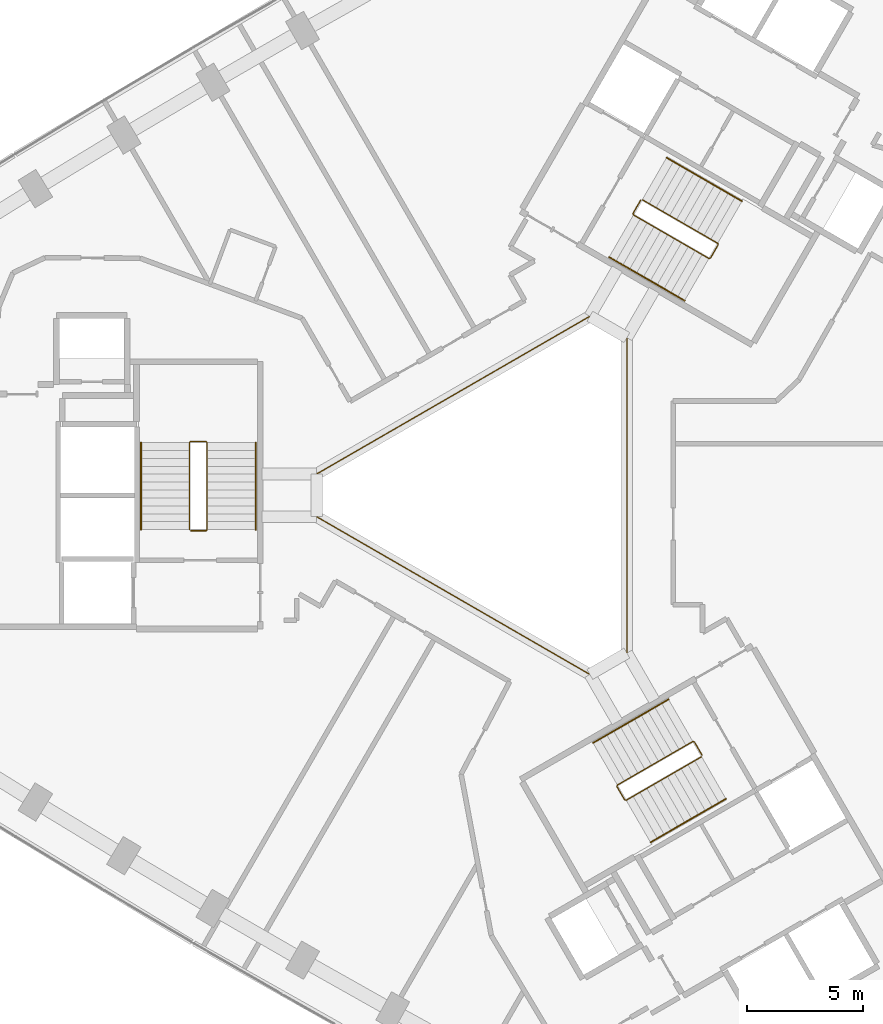
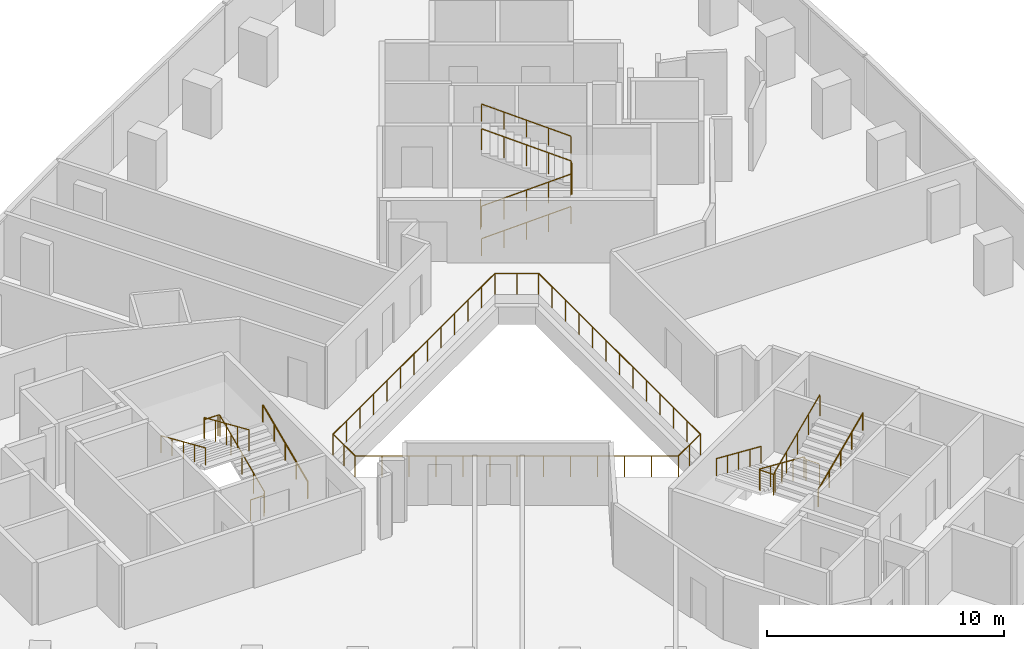
# One storey, part 12 of 12: 10 railings.
"""IFC4 building model written with IfcOpenShell, lengths in metres."""

from ifc_helpers import new_model, si_unit, direction, frame, origin, origin_2d, place, context, subcontext, project, spatial, circle, extrude, material, type_object, element, save


model = new_model("IFC4")

# Units and contexts
model_context = context("Model", 3, precision=1e-05, world=origin(), true_north=direction((0.0, 1.0)))
body_context = subcontext(model_context, "Body", "Model", "MODEL_VIEW")
ifc_project = project(units=[si_unit("LENGTHUNIT", "METRE"), si_unit("AREAUNIT", "SQUARE_METRE"), si_unit("VOLUMEUNIT", "CUBIC_METRE"), si_unit("PLANEANGLEUNIT", "RADIAN"), si_unit("MASSUNIT", "GRAM", prefix="KILO")], contexts=[model_context])

# Site, building, storey
site_placement = place(None, origin())
site = spatial("IfcSite", under=ifc_project, at=site_placement, CompositionType="ELEMENT")
building_placement = place(site_placement, origin())
building = spatial("IfcBuilding", under=site, at=building_placement, Name="Tamra Quay Hotel Tower", CompositionType="ELEMENT")
storey_placement = place(building_placement, frame((0.0, 0.0, 71.0)))
storey = spatial("IfcBuildingStorey", under=building, at=storey_placement, Name="L16", CompositionType="ELEMENT", Elevation=71.0)

# Railings
ifc_material_1 = material(Name="Guard atrium edge 1100")
railing_type_1 = type_object("IfcRailingType", Name="Guard atrium edge 1100", PredefinedType="GUARDRAIL", material=ifc_material_1)
railing_1_placement = place(storey_placement, frame((5.0, -6.81298828125, 0.0)))
element("IfcRailing", 1, at=railing_1_placement, inside=storey, type_object=railing_type_1, Name="G-A", PredefinedType="GUARDRAIL", context=body_context, shape_type="SweptSolid", body=[
    extrude(circle(Radius=0.02392578125, at=origin_2d()), frame((0.0, 0.0, 1.076171875), z_axis=(-0.866194386982, -0.499707198227, 0.0), x_axis=(0.499707198227, -0.866194386982, 0.0)), (0.0, 0.0, 1.0), 1.84716796875),
    extrude(circle(Radius=0.02392578125, at=origin_2d()), frame((-1.60009765625, -0.923095703125, 1.076171875), z_axis=(-0.866044747976, 0.49996649338, 0.0), x_axis=(-0.49996649338, -0.866044747976, 0.0)), (0.0, 0.0, 1.0), 13.625),
    extrude(circle(Radius=0.02392578125, at=origin_2d()), frame((-13.39990234375, 5.888916015625, 1.076171875), z_axis=(0.0, 1.0, 0.0), x_axis=(-1.0, 0.0, 0.0)), (0.0, 0.0, 1.0), 1.84814453125),
    extrude(circle(Radius=0.02392578125, at=origin_2d()), frame((-13.39990234375, 7.737060546875, 1.076171875), z_axis=(0.866044747976, 0.49996649338, 0.0), x_axis=(-0.49996649338, 0.866044747976, 0.0)), (0.0, 0.0, 1.0), 13.625),
    extrude(circle(Radius=0.02392578125, at=origin_2d()), frame((-1.60009765625, 14.549072265625, 1.076171875), z_axis=(0.866194386982, -0.499707198227, 0.0), x_axis=(0.499707198227, 0.866194386982, 0.0)), (0.0, 0.0, 1.0), 1.84716796875),
    extrude(circle(Radius=0.02392578125, at=origin_2d()), frame((0.0, 13.6259765625, 1.076171875), z_axis=(0.0, -1.0, 0.0), x_axis=(1.0, 0.0, 0.0)), (0.0, 0.0, 1.0), 13.6259765625),
    extrude(circle(Radius=0.02099609375, at=origin_2d()), origin(), (0.0, 0.0, 1.0), 1.052001953125),
    extrude(circle(Radius=0.02099609375, at=origin_2d()), frame((-0.800048828125, -0.46142578125, 0.0)), (0.0, 0.0, 1.0), 1.052001953125),
    extrude(circle(Radius=0.02099609375, at=origin_2d()), frame((-1.60009765625, -0.923095703125, 0.0)), (0.0, 0.0, 1.0), 1.052001953125),
    extrude(circle(Radius=0.02099609375, at=origin_2d()), frame((-2.58349609375, -0.35546875, 0.0)), (0.0, 0.0, 1.0), 1.052001953125),
    extrude(circle(Radius=0.02099609375, at=origin_2d()), frame((-3.566650390625, 0.212158203125, 0.0)), (0.0, 0.0, 1.0), 1.052001953125),
    extrude(circle(Radius=0.02099609375, at=origin_2d()), frame((-4.550048828125, 0.77978515625, 0.0)), (0.0, 0.0, 1.0), 1.052001953125),
    extrude(circle(Radius=0.02099609375, at=origin_2d()), frame((-5.533447265625, 1.34765625, 0.0)), (0.0, 0.0, 1.0), 1.052001953125),
    extrude(circle(Radius=0.02099609375, at=origin_2d()), frame((-6.5166015625, 1.915283203125, 0.0)), (0.0, 0.0, 1.0), 1.052001953125),
    extrude(circle(Radius=0.02099609375, at=origin_2d()), frame((-7.5, 2.48291015625, 0.0)), (0.0, 0.0, 1.0), 1.052001953125),
    extrude(circle(Radius=0.02099609375, at=origin_2d()), frame((-8.4833984375, 3.050537109375, 0.0)), (0.0, 0.0, 1.0), 1.052001953125),
    extrude(circle(Radius=0.02099609375, at=origin_2d()), frame((-9.466552734375, 3.6181640625, 0.0)), (0.0, 0.0, 1.0), 1.052001953125),
    extrude(circle(Radius=0.02099609375, at=origin_2d()), frame((-10.449951171875, 4.18603515625, 0.0)), (0.0, 0.0, 1.0), 1.052001953125),
    extrude(circle(Radius=0.02099609375, at=origin_2d()), frame((-11.433349609375, 4.753662109375, 0.0)), (0.0, 0.0, 1.0), 1.052001953125),
    extrude(circle(Radius=0.02099609375, at=origin_2d()), frame((-12.41650390625, 5.3212890625, 0.0)), (0.0, 0.0, 1.0), 1.052001953125),
    extrude(circle(Radius=0.02099609375, at=origin_2d()), frame((-13.39990234375, 5.888916015625, 0.0)), (0.0, 0.0, 1.0), 1.052001953125),
    extrude(circle(Radius=0.02099609375, at=origin_2d()), frame((-13.39990234375, 6.81298828125, 0.0)), (0.0, 0.0, 1.0), 1.052001953125),
    extrude(circle(Radius=0.02099609375, at=origin_2d()), frame((-13.39990234375, 7.737060546875, 0.0)), (0.0, 0.0, 1.0), 1.052001953125),
    extrude(circle(Radius=0.02099609375, at=origin_2d()), frame((-12.41650390625, 8.3046875, 0.0)), (0.0, 0.0, 1.0), 1.052001953125),
    extrude(circle(Radius=0.02099609375, at=origin_2d()), frame((-11.433349609375, 8.872314453125, 0.0)), (0.0, 0.0, 1.0), 1.052001953125),
    extrude(circle(Radius=0.02099609375, at=origin_2d()), frame((-10.449951171875, 9.43994140625, 0.0)), (0.0, 0.0, 1.0), 1.052001953125),
    extrude(circle(Radius=0.02099609375, at=origin_2d()), frame((-9.466552734375, 10.0078125, 0.0)), (0.0, 0.0, 1.0), 1.052001953125),
    extrude(circle(Radius=0.02099609375, at=origin_2d()), frame((-8.4833984375, 10.575439453125, 0.0)), (0.0, 0.0, 1.0), 1.052001953125),
    extrude(circle(Radius=0.02099609375, at=origin_2d()), frame((-7.5, 11.14306640625, 0.0)), (0.0, 0.0, 1.0), 1.052001953125),
    extrude(circle(Radius=0.02099609375, at=origin_2d()), frame((-6.5166015625, 11.710693359375, 0.0)), (0.0, 0.0, 1.0), 1.052001953125),
    extrude(circle(Radius=0.02099609375, at=origin_2d()), frame((-5.533447265625, 12.2783203125, 0.0)), (0.0, 0.0, 1.0), 1.052001953125),
    extrude(circle(Radius=0.02099609375, at=origin_2d()), frame((-4.550048828125, 12.84619140625, 0.0)), (0.0, 0.0, 1.0), 1.052001953125),
    extrude(circle(Radius=0.02099609375, at=origin_2d()), frame((-3.566650390625, 13.413818359375, 0.0)), (0.0, 0.0, 1.0), 1.052001953125),
    extrude(circle(Radius=0.02099609375, at=origin_2d()), frame((-2.58349609375, 13.9814453125, 0.0)), (0.0, 0.0, 1.0), 1.052001953125),
    extrude(circle(Radius=0.02099609375, at=origin_2d()), frame((-1.60009765625, 14.549072265625, 0.0)), (0.0, 0.0, 1.0), 1.052001953125),
    extrude(circle(Radius=0.02099609375, at=origin_2d()), frame((-0.800048828125, 14.08740234375, 0.0)), (0.0, 0.0, 1.0), 1.052001953125),
    extrude(circle(Radius=0.02099609375, at=origin_2d()), frame((0.0, 13.6259765625, 0.0)), (0.0, 0.0, 1.0), 1.052001953125),
    extrude(circle(Radius=0.02099609375, at=origin_2d()), frame((0.0, 12.490478515625, 0.0)), (0.0, 0.0, 1.0), 1.052001953125),
    extrude(circle(Radius=0.02099609375, at=origin_2d()), frame((0.0, 11.35498046875, 0.0)), (0.0, 0.0, 1.0), 1.052001953125),
    extrude(circle(Radius=0.02099609375, at=origin_2d()), frame((0.0, 10.219482421875, 0.0)), (0.0, 0.0, 1.0), 1.052001953125),
    extrude(circle(Radius=0.02099609375, at=origin_2d()), frame((0.0, 9.083984375, 0.0)), (0.0, 0.0, 1.0), 1.052001953125),
    extrude(circle(Radius=0.02099609375, at=origin_2d()), frame((0.0, 7.948486328125, 0.0)), (0.0, 0.0, 1.0), 1.052001953125),
    extrude(circle(Radius=0.02099609375, at=origin_2d()), frame((0.0, 6.81298828125, 0.0)), (0.0, 0.0, 1.0), 1.052001953125),
    extrude(circle(Radius=0.02099609375, at=origin_2d()), frame((0.0, 5.677490234375, 0.0)), (0.0, 0.0, 1.0), 1.052001953125),
    extrude(circle(Radius=0.02099609375, at=origin_2d()), frame((0.0, 4.5419921875, 0.0)), (0.0, 0.0, 1.0), 1.052001953125),
    extrude(circle(Radius=0.02099609375, at=origin_2d()), frame((0.0, 3.406494140625, 0.0)), (0.0, 0.0, 1.0), 1.052001953125),
    extrude(circle(Radius=0.02099609375, at=origin_2d()), frame((0.0, 2.27099609375, 0.0)), (0.0, 0.0, 1.0), 1.052001953125),
    extrude(circle(Radius=0.02099609375, at=origin_2d()), frame((0.0, 1.135498046875, 0.0)), (0.0, 0.0, 1.0), 1.052001953125),
])
ifc_material_2 = material(Name="Stair guard 1100")
railing_type_2 = type_object("IfcRailingType", Name="Stair guard 1100", PredefinedType="GUARDRAIL", material=ifc_material_2)
railing_2_placement = place(storey_placement, frame((-13.84130859375, -1.530029296875, 0.0)))
element("IfcRailing", 2, at=railing_2_placement, inside=storey, type_object=railing_type_2, Name="GR", PredefinedType="GUARDRAIL", context=body_context, shape_type="SweptSolid", body=[
    extrude(circle(Radius=0.02392578125, at=origin_2d()), frame((0.0, 0.0, 1.076171875), z_axis=(1.0, 0.0, 0.0), x_axis=(0.0, 1.0, 0.0)), (0.0, 0.0, 1.0), 0.658935546875),
    extrude(circle(Radius=0.02392578125, at=origin_2d()), frame((0.658935546875, 0.0, 1.076171875), z_axis=(0.301912943143, 0.301912943143, 0.904266083366), x_axis=(-0.707106781187, 0.707106781187, 0.0)), (0.0, 0.0, 1.0), 0.165771484375),
    extrude(circle(Radius=0.02392578125, at=origin_2d()), frame((0.708984375, 0.050048828125, 1.22607421875), z_axis=(0.0, 0.915773634228, 0.401694723457), x_axis=(-1.0, 0.0, 0.0)), (0.0, 0.0, 1.0), 4.10791015625),
    extrude(circle(Radius=0.02392578125, at=origin_2d()), frame((0.708984375, 3.81201171875, 2.8759765625), z_axis=(-0.708833529934, 0.705375805398, 0.0), x_axis=(-0.705375805398, -0.708833529934, 0.0)), (0.0, 0.0, 1.0), 0.070556640625),
    extrude(circle(Radius=0.02392578125, at=origin_2d()), frame((0.658935546875, 3.86181640625, 2.8759765625), z_axis=(-1.0, 0.0, 0.0), x_axis=(0.0, -1.0, 0.0)), (0.0, 0.0, 1.0), 0.658935546875),
    extrude(circle(Radius=0.02392578125, at=origin_2d()), frame((0.0, 3.86181640625, 2.8759765625), z_axis=(-0.302046947789, -0.300573548044, 0.904667443621), x_axis=(0.705375805398, -0.708833529934, 0.0)), (0.0, 0.0, 1.0), 0.165771484375),
    extrude(circle(Radius=0.02392578125, at=origin_2d()), frame((-0.050048828125, 3.81201171875, 3.02587890625), z_axis=(0.0, -0.915773634228, 0.401694723457), x_axis=(1.0, 0.0, 0.0)), (0.0, 0.0, 1.0), 4.10791015625),
    extrude(circle(Radius=0.02099609375, at=origin_2d()), origin(), (0.0, 0.0, 1.0), 1.052001953125),
    extrude(circle(Radius=0.02099609375, at=origin_2d()), frame((0.658935546875, 0.0, 0.0)), (0.0, 0.0, 1.0), 1.052001953125),
    extrude(circle(Radius=0.02099609375, at=origin_2d()), frame((0.708984375, 0.050048828125, 0.14990234375)), (0.0, 0.0, 1.0), 1.052001953125),
    extrude(circle(Radius=0.02099609375, at=origin_2d()), frame((0.708984375, 0.990478515625, 0.5625)), (0.0, 0.0, 1.0), 1.052001953125),
    extrude(circle(Radius=0.02099609375, at=origin_2d()), frame((0.708984375, 1.93115234375, 0.97509765625)), (0.0, 0.0, 1.0), 1.052001953125),
    extrude(circle(Radius=0.02099609375, at=origin_2d()), frame((0.708984375, 2.87158203125, 1.387451171875)), (0.0, 0.0, 1.0), 1.052001953125),
    extrude(circle(Radius=0.02099609375, at=origin_2d()), frame((0.708984375, 3.81201171875, 1.800048828125)), (0.0, 0.0, 1.0), 1.052001953125),
    extrude(circle(Radius=0.02099609375, at=origin_2d()), frame((0.658935546875, 3.86181640625, 1.800048828125)), (0.0, 0.0, 1.0), 1.052001953125),
    extrude(circle(Radius=0.02099609375, at=origin_2d()), frame((0.0, 3.86181640625, 1.800048828125)), (0.0, 0.0, 1.0), 1.052001953125),
    extrude(circle(Radius=0.02099609375, at=origin_2d()), frame((-0.050048828125, 3.81201171875, 1.949951171875)), (0.0, 0.0, 1.0), 1.052001953125),
    extrude(circle(Radius=0.02099609375, at=origin_2d()), frame((-0.050048828125, 2.87158203125, 2.362548828125)), (0.0, 0.0, 1.0), 1.052001953125),
    extrude(circle(Radius=0.02099609375, at=origin_2d()), frame((-0.050048828125, 1.93115234375, 2.77490234375)), (0.0, 0.0, 1.0), 1.052001953125),
    extrude(circle(Radius=0.02099609375, at=origin_2d()), frame((-0.050048828125, 0.990478515625, 3.1875)), (0.0, 0.0, 1.0), 1.052001953125),
    extrude(circle(Radius=0.02099609375, at=origin_2d()), frame((-0.050048828125, 0.050048828125, 3.60009765625)), (0.0, 0.0, 1.0), 1.052001953125),
])
railing_3_placement = place(storey_placement, frame((5.595458984375, 12.751953125, 0.0)))
element("IfcRailing", 3, at=railing_3_placement, inside=storey, type_object=railing_type_2, Name="GR", PredefinedType="GUARDRAIL", context=body_context, shape_type="SweptSolid", body=[
    extrude(circle(Radius=0.02392578125, at=origin_2d()), frame((0.0, 0.0, 1.076171875), z_axis=(-0.499765215335, -0.866160914346, 0.0), x_axis=(0.866160914346, -0.499765215335, 0.0)), (0.0, 0.0, 1.0), 0.658935546875),
    extrude(circle(Radius=0.02392578125, at=origin_2d()), frame((-0.329345703125, -0.57080078125, 1.076171875), z_axis=(0.110525977783, -0.411156637351, 0.904839338113), x_axis=(0.965715946433, 0.259601060869, 0.0)), (0.0, 0.0, 1.0), 0.165771484375),
    extrude(circle(Radius=0.02392578125, at=origin_2d()), frame((-0.31103515625, -0.638916015625, 1.22607421875), z_axis=(0.79305953016, -0.457922937641, 0.401700342053), x_axis=(0.500040788363, 0.866001853331, 0.0)), (0.0, 0.0, 1.0), 4.10791015625),
    extrude(circle(Radius=0.02392578125, at=origin_2d()), frame((2.94677734375, -2.52001953125, 2.8759765625), z_axis=(0.965948051503, 0.258736085224, 0.0), x_axis=(-0.258736085224, 0.965948051503, 0.0)), (0.0, 0.0, 1.0), 0.07080078125),
    extrude(circle(Radius=0.02392578125, at=origin_2d()), frame((3.01513671875, -2.501708984375, 2.8759765625), z_axis=(0.500043078269, 0.866000531106, 0.0), x_axis=(-0.866000531106, 0.500043078269, 0.0)), (0.0, 0.0, 1.0), 0.6591796875),
    extrude(circle(Radius=0.02392578125, at=origin_2d()), frame((3.3447265625, -1.930908203125, 2.8759765625), z_axis=(-0.110525977783, 0.411156637351, 0.904839338113), x_axis=(-0.965715946433, -0.259601060869, 0.0)), (0.0, 0.0, 1.0), 0.165771484375),
    extrude(circle(Radius=0.02392578125, at=origin_2d()), frame((3.326416015625, -1.86279296875, 3.02587890625), z_axis=(-0.793081581205, 0.457901355053, 0.401681409319), x_axis=(-0.500012686397, -0.866018079166, 0.0)), (0.0, 0.0, 1.0), 4.108154296875),
    extrude(circle(Radius=0.02099609375, at=origin_2d()), origin(), (0.0, 0.0, 1.0), 1.052001953125),
    extrude(circle(Radius=0.02099609375, at=origin_2d()), frame((-0.329345703125, -0.57080078125, 0.0)), (0.0, 0.0, 1.0), 1.052001953125),
    extrude(circle(Radius=0.02099609375, at=origin_2d()), frame((-0.31103515625, -0.638916015625, 0.14990234375)), (0.0, 0.0, 1.0), 1.052001953125),
    extrude(circle(Radius=0.02099609375, at=origin_2d()), frame((0.50341796875, -1.109130859375, 0.5625)), (0.0, 0.0, 1.0), 1.052001953125),
    extrude(circle(Radius=0.02099609375, at=origin_2d()), frame((1.31787109375, -1.57958984375, 0.97509765625)), (0.0, 0.0, 1.0), 1.052001953125),
    extrude(circle(Radius=0.02099609375, at=origin_2d()), frame((2.13232421875, -2.0498046875, 1.387451171875)), (0.0, 0.0, 1.0), 1.052001953125),
    extrude(circle(Radius=0.02099609375, at=origin_2d()), frame((2.94677734375, -2.52001953125, 1.800048828125)), (0.0, 0.0, 1.0), 1.052001953125),
    extrude(circle(Radius=0.02099609375, at=origin_2d()), frame((3.01513671875, -2.501708984375, 1.800048828125)), (0.0, 0.0, 1.0), 1.052001953125),
    extrude(circle(Radius=0.02099609375, at=origin_2d()), frame((3.3447265625, -1.930908203125, 1.800048828125)), (0.0, 0.0, 1.0), 1.052001953125),
    extrude(circle(Radius=0.02099609375, at=origin_2d()), frame((3.326416015625, -1.86279296875, 1.949951171875)), (0.0, 0.0, 1.0), 1.052001953125),
    extrude(circle(Radius=0.02099609375, at=origin_2d()), frame((2.511962890625, -1.392578125, 2.362548828125)), (0.0, 0.0, 1.0), 1.052001953125),
    extrude(circle(Radius=0.02099609375, at=origin_2d()), frame((1.697265625, -0.92236328125, 2.77490234375)), (0.0, 0.0, 1.0), 1.052001953125),
    extrude(circle(Radius=0.02099609375, at=origin_2d()), frame((0.8828125, -0.451904296875, 3.1875)), (0.0, 0.0, 1.0), 1.052001953125),
    extrude(circle(Radius=0.02099609375, at=origin_2d()), frame((0.068359375, 0.018310546875, 3.60009765625)), (0.0, 0.0, 1.0), 1.052001953125),
])
railing_4_placement = place(storey_placement, frame((8.245849609375, -11.221923828125, 0.0)))
element("IfcRailing", 4, at=railing_4_placement, inside=storey, type_object=railing_type_2, Name="GR", PredefinedType="GUARDRAIL", context=body_context, shape_type="SweptSolid", body=[
    extrude(circle(Radius=0.02392578125, at=origin_2d()), frame((0.0, 0.0, 1.076171875), z_axis=(-0.500043078269, 0.866000531106, 0.0), x_axis=(-0.866000531106, -0.500043078269, 0.0)), (0.0, 0.0, 1.0), 0.6591796875),
    extrude(circle(Radius=0.02392578125, at=origin_2d()), frame((-0.32958984375, 0.57080078125, 1.076171875), z_axis=(-0.41238007866, 0.110458949641, 0.904290601062), x_axis=(-0.258736085224, -0.965948051503, 0.0)), (0.0, 0.0, 1.0), 0.165771484375),
    extrude(circle(Radius=0.02392578125, at=origin_2d()), frame((-0.39794921875, 0.589111328125, 1.22607421875), z_axis=(-0.793081581205, -0.457901355053, 0.401681409319), x_axis=(0.500012686397, -0.866018079166, 0.0)), (0.0, 0.0, 1.0), 4.108154296875),
    extrude(circle(Radius=0.02392578125, at=origin_2d()), frame((-3.656005859375, -1.2919921875, 2.8759765625), z_axis=(-0.256368644879, -0.966579080015, 0.0), x_axis=(0.966579080015, -0.256368644879, 0.0)), (0.0, 0.0, 1.0), 0.070556640625),
    extrude(circle(Radius=0.02392578125, at=origin_2d()), frame((-3.674072265625, -1.360107421875, 2.8759765625), z_axis=(0.499765215335, -0.866160914346, 0.0), x_axis=(0.866160914346, 0.499765215335, 0.0)), (0.0, 0.0, 1.0), 0.658935546875),
    extrude(circle(Radius=0.02392578125, at=origin_2d()), frame((-3.3447265625, -1.930908203125, 2.8759765625), z_axis=(0.41238007866, -0.110458949641, 0.904290601062), x_axis=(0.258736085224, 0.965948051503, 0.0)), (0.0, 0.0, 1.0), 0.165771484375),
    extrude(circle(Radius=0.02392578125, at=origin_2d()), frame((-3.2763671875, -1.94921875, 3.02587890625), z_axis=(0.793081581205, 0.457901355053, 0.401681409319), x_axis=(-0.500012686397, 0.866018079166, 0.0)), (0.0, 0.0, 1.0), 4.108154296875),
    extrude(circle(Radius=0.02099609375, at=origin_2d()), origin(), (0.0, 0.0, 1.0), 1.052001953125),
    extrude(circle(Radius=0.02099609375, at=origin_2d()), frame((-0.32958984375, 0.57080078125, 0.0)), (0.0, 0.0, 1.0), 1.052001953125),
    extrude(circle(Radius=0.02099609375, at=origin_2d()), frame((-0.39794921875, 0.589111328125, 0.14990234375)), (0.0, 0.0, 1.0), 1.052001953125),
    extrude(circle(Radius=0.02099609375, at=origin_2d()), frame((-1.21240234375, 0.118896484375, 0.5625)), (0.0, 0.0, 1.0), 1.052001953125),
    extrude(circle(Radius=0.02099609375, at=origin_2d()), frame((-2.02685546875, -0.3515625, 0.97509765625)), (0.0, 0.0, 1.0), 1.052001953125),
    extrude(circle(Radius=0.02099609375, at=origin_2d()), frame((-2.841552734375, -0.82177734375, 1.387451171875)), (0.0, 0.0, 1.0), 1.052001953125),
    extrude(circle(Radius=0.02099609375, at=origin_2d()), frame((-3.656005859375, -1.2919921875, 1.800048828125)), (0.0, 0.0, 1.0), 1.052001953125),
    extrude(circle(Radius=0.02099609375, at=origin_2d()), frame((-3.674072265625, -1.360107421875, 1.800048828125)), (0.0, 0.0, 1.0), 1.052001953125),
    extrude(circle(Radius=0.02099609375, at=origin_2d()), frame((-3.3447265625, -1.930908203125, 1.800048828125)), (0.0, 0.0, 1.0), 1.052001953125),
    extrude(circle(Radius=0.02099609375, at=origin_2d()), frame((-3.2763671875, -1.94921875, 1.949951171875)), (0.0, 0.0, 1.0), 1.052001953125),
    extrude(circle(Radius=0.02099609375, at=origin_2d()), frame((-2.4619140625, -1.47900390625, 2.362548828125)), (0.0, 0.0, 1.0), 1.052001953125),
    extrude(circle(Radius=0.02099609375, at=origin_2d()), frame((-1.6474609375, -1.0087890625, 2.77490234375)), (0.0, 0.0, 1.0), 1.052001953125),
    extrude(circle(Radius=0.02099609375, at=origin_2d()), frame((-0.832763671875, -0.538330078125, 3.1875)), (0.0, 0.0, 1.0), 1.052001953125),
    extrude(circle(Radius=0.02099609375, at=origin_2d()), frame((-0.018310546875, -0.068115234375, 3.60009765625)), (0.0, 0.0, 1.0), 1.052001953125),
])
ifc_material_3 = material(Name="Stair handrail 900")
railing_type_3 = type_object("IfcRailingType", Name="Stair handrail 900", PredefinedType="HANDRAIL", material=ifc_material_3)
railing_5_placement = place(storey_placement, frame((-11.0322265625, -1.47998046875, 0.14990234375)))
element("IfcRailing", 5, at=railing_5_placement, inside=storey, type_object=railing_type_3, Name="HR", PredefinedType="HANDRAIL", context=body_context, shape_type="SweptSolid", body=[
    extrude(circle(Radius=0.02392578125, at=origin_2d()), frame((0.0, 0.0, 0.8759765625), z_axis=(0.0, 0.915773634228, 0.401694723457), x_axis=(-1.0, 0.0, 0.0)), (0.0, 0.0, 1.0), 4.10791015625),
    extrude(circle(Radius=0.02099609375, at=origin_2d()), origin(), (0.0, 0.0, 1.0), 0.851806640625),
    extrude(circle(Radius=0.02099609375, at=origin_2d()), frame((0.0, 0.9404296875, 0.41259765625)), (0.0, 0.0, 1.0), 0.851806640625),
    extrude(circle(Radius=0.02099609375, at=origin_2d()), frame((0.0, 1.880859375, 0.8251953125)), (0.0, 0.0, 1.0), 0.851806640625),
    extrude(circle(Radius=0.02099609375, at=origin_2d()), frame((0.0, 2.821533203125, 1.237548828125)), (0.0, 0.0, 1.0), 0.851806640625),
    extrude(circle(Radius=0.02099609375, at=origin_2d()), frame((0.0, 3.761962890625, 1.650146484375)), (0.0, 0.0, 1.0), 0.851806640625),
])
railing_6_placement = place(storey_placement, frame((-15.9912109375, 2.281982421875, 1.949951171875)))
element("IfcRailing", 6, at=railing_6_placement, inside=storey, type_object=railing_type_3, Name="HR", PredefinedType="HANDRAIL", context=body_context, shape_type="SweptSolid", body=[
    extrude(circle(Radius=0.02392578125, at=origin_2d()), frame((0.0, 0.0, 0.8759765625), z_axis=(0.0, -0.915773634228, 0.401694723457), x_axis=(1.0, 0.0, 0.0)), (0.0, 0.0, 1.0), 4.10791015625),
    extrude(circle(Radius=0.02099609375, at=origin_2d()), origin(), (0.0, 0.0, 1.0), 0.851806640625),
    extrude(circle(Radius=0.02099609375, at=origin_2d()), frame((0.0, -0.9404296875, 0.41259765625)), (0.0, 0.0, 1.0), 0.851806640625),
    extrude(circle(Radius=0.02099609375, at=origin_2d()), frame((0.0, -1.880859375, 0.8251953125)), (0.0, 0.0, 1.0), 0.851806640625),
    extrude(circle(Radius=0.02099609375, at=origin_2d()), frame((0.0, -2.821533203125, 1.237548828125)), (0.0, 0.0, 1.0), 0.851806640625),
    extrude(circle(Radius=0.02099609375, at=origin_2d()), frame((0.0, -3.761962890625, 1.650146484375)), (0.0, 0.0, 1.0), 0.851806640625),
])
railing_7_placement = place(storey_placement, frame((4.234375, 10.294189453125, 0.14990234375)))
element("IfcRailing", 7, at=railing_7_placement, inside=storey, type_object=railing_type_3, Name="HR", PredefinedType="HANDRAIL", context=body_context, shape_type="SweptSolid", body=[
    extrude(circle(Radius=0.02392578125, at=origin_2d()), frame((0.0, 0.0, 0.8759765625), z_axis=(0.793103162556, -0.457854384738, 0.401692339881), x_axis=(0.499964013922, 0.86604617936, 0.0)), (0.0, 0.0, 1.0), 4.10791015625),
    extrude(circle(Radius=0.02099609375, at=origin_2d()), origin(), (0.0, 0.0, 1.0), 0.851806640625),
    extrude(circle(Radius=0.02099609375, at=origin_2d()), frame((0.814453125, -0.47021484375, 0.41259765625)), (0.0, 0.0, 1.0), 0.851806640625),
    extrude(circle(Radius=0.02099609375, at=origin_2d()), frame((1.62890625, -0.9404296875, 0.8251953125)), (0.0, 0.0, 1.0), 0.851806640625),
    extrude(circle(Radius=0.02099609375, at=origin_2d()), frame((2.443603515625, -1.41064453125, 1.237548828125)), (0.0, 0.0, 1.0), 0.851806640625),
    extrude(circle(Radius=0.02099609375, at=origin_2d()), frame((3.258056640625, -1.880859375, 1.650146484375)), (0.0, 0.0, 1.0), 0.851806640625),
])
railing_8_placement = place(storey_placement, frame((9.971923828125, 12.7080078125, 1.949951171875)))
element("IfcRailing", 8, at=railing_8_placement, inside=storey, type_object=railing_type_3, Name="HR", PredefinedType="HANDRAIL", context=body_context, shape_type="SweptSolid", body=[
    extrude(circle(Radius=0.02392578125, at=origin_2d()), frame((0.0, 0.0, 0.8759765625), z_axis=(-0.793103162556, 0.457854384738, 0.401692339881), x_axis=(-0.499964013922, -0.86604617936, 0.0)), (0.0, 0.0, 1.0), 4.10791015625),
    extrude(circle(Radius=0.02099609375, at=origin_2d()), origin(), (0.0, 0.0, 1.0), 0.851806640625),
    extrude(circle(Radius=0.02099609375, at=origin_2d()), frame((-0.814453125, 0.47021484375, 0.41259765625)), (0.0, 0.0, 1.0), 0.851806640625),
    extrude(circle(Radius=0.02099609375, at=origin_2d()), frame((-1.62890625, 0.9404296875, 0.8251953125)), (0.0, 0.0, 1.0), 0.851806640625),
    extrude(circle(Radius=0.02099609375, at=origin_2d()), frame((-2.443603515625, 1.41064453125, 1.237548828125)), (0.0, 0.0, 1.0), 0.851806640625),
    extrude(circle(Radius=0.02099609375, at=origin_2d()), frame((-3.258056640625, 1.880859375, 1.650146484375)), (0.0, 0.0, 1.0), 0.851806640625),
])
railing_9_placement = place(storey_placement, frame((6.7978515625, -8.814208984375, 0.14990234375)))
element("IfcRailing", 9, at=railing_9_placement, inside=storey, type_object=railing_type_3, Name="HR", PredefinedType="HANDRAIL", context=body_context, shape_type="SweptSolid", body=[
    extrude(circle(Radius=0.02392578125, at=origin_2d()), frame((0.0, 0.0, 0.8759765625), z_axis=(-0.793081112945, -0.457875966286, 0.40171127416), x_axis=(0.499992114976, -0.866029956157, 0.0)), (0.0, 0.0, 1.0), 4.10791015625),
    extrude(circle(Radius=0.02099609375, at=origin_2d()), origin(), (0.0, 0.0, 1.0), 0.851806640625),
    extrude(circle(Radius=0.02099609375, at=origin_2d()), frame((-0.814453125, -0.47021484375, 0.41259765625)), (0.0, 0.0, 1.0), 0.851806640625),
    extrude(circle(Radius=0.02099609375, at=origin_2d()), frame((-1.62890625, -0.9404296875, 0.8251953125)), (0.0, 0.0, 1.0), 0.851806640625),
    extrude(circle(Radius=0.02099609375, at=origin_2d()), frame((-2.443359375, -1.41064453125, 1.237548828125)), (0.0, 0.0, 1.0), 0.851806640625),
    extrude(circle(Radius=0.02099609375, at=origin_2d()), frame((-3.2578125, -1.880859375, 1.650146484375)), (0.0, 0.0, 1.0), 0.851806640625),
])
railing_10_placement = place(storey_placement, frame((6.01953125, -14.98974609375, 1.949951171875)))
element("IfcRailing", 10, at=railing_10_placement, inside=storey, type_object=railing_type_3, Name="HR", PredefinedType="HANDRAIL", context=body_context, shape_type="SweptSolid", body=[
    extrude(circle(Radius=0.02392578125, at=origin_2d()), frame((0.0, 0.0, 0.8759765625), z_axis=(0.793081112945, 0.457875966286, 0.40171127416), x_axis=(-0.499992114976, 0.866029956157, 0.0)), (0.0, 0.0, 1.0), 4.10791015625),
    extrude(circle(Radius=0.02099609375, at=origin_2d()), origin(), (0.0, 0.0, 1.0), 0.851806640625),
    extrude(circle(Radius=0.02099609375, at=origin_2d()), frame((0.814453125, 0.47021484375, 0.41259765625)), (0.0, 0.0, 1.0), 0.851806640625),
    extrude(circle(Radius=0.02099609375, at=origin_2d()), frame((1.62890625, 0.9404296875, 0.8251953125)), (0.0, 0.0, 1.0), 0.851806640625),
    extrude(circle(Radius=0.02099609375, at=origin_2d()), frame((2.443359375, 1.41064453125, 1.237548828125)), (0.0, 0.0, 1.0), 0.851806640625),
    extrude(circle(Radius=0.02099609375, at=origin_2d()), frame((3.2578125, 1.880859375, 1.650146484375)), (0.0, 0.0, 1.0), 0.851806640625),
])

save(model, "model.ifc")
